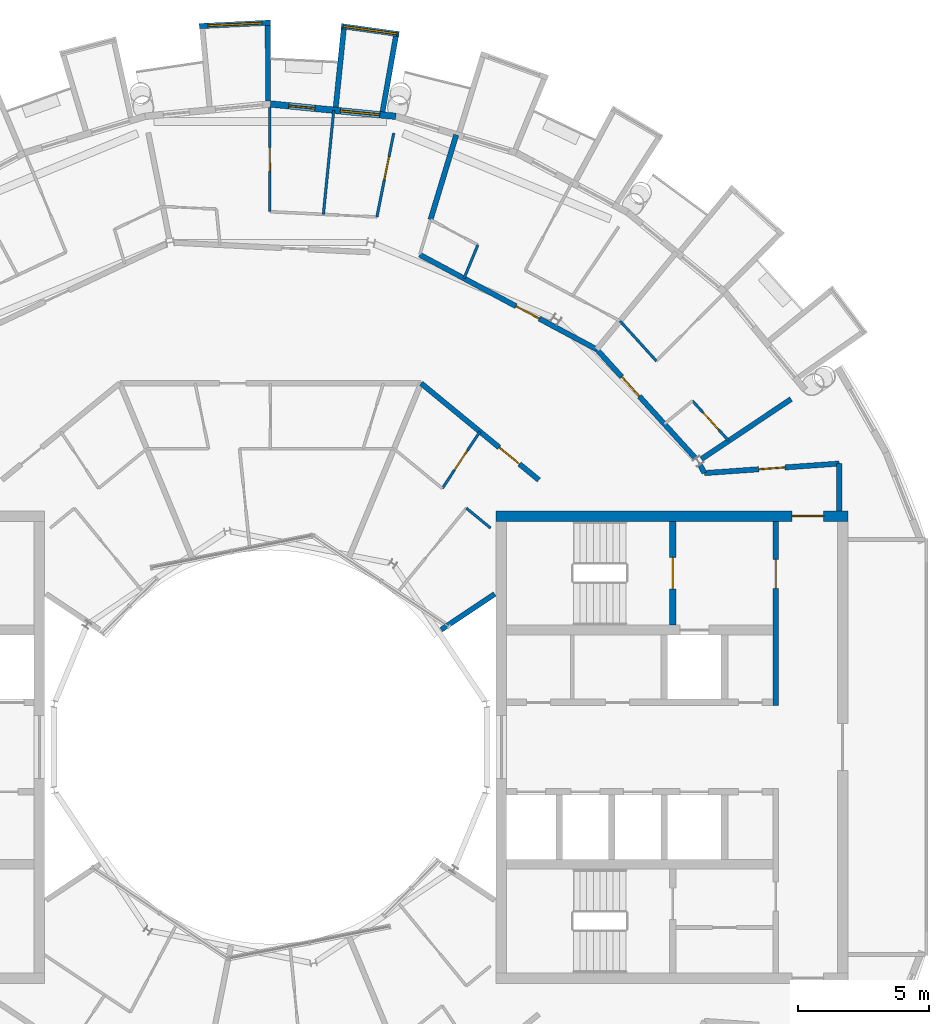
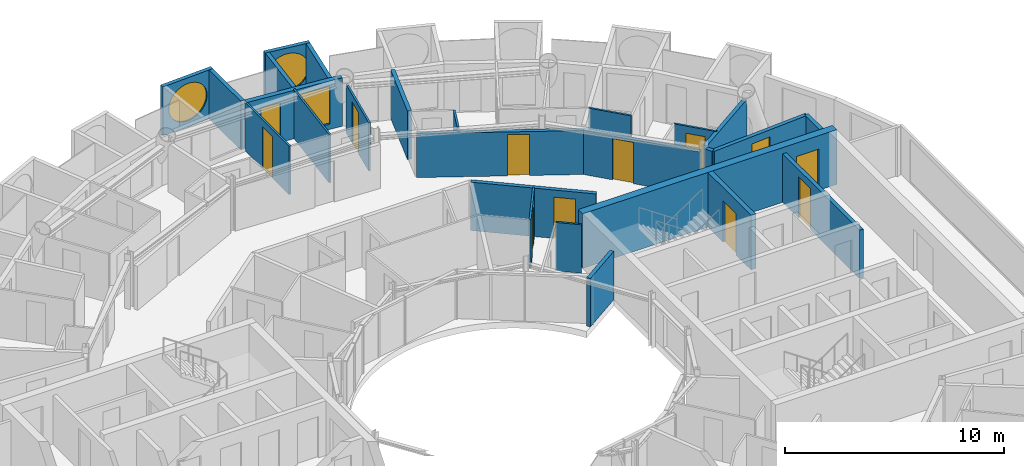
# One storey, part 22 of 27: 26 walls, 12 doors, 3 windows, 15 openings.
"""IFC4 building model written with IfcOpenShell, lengths in metres."""

from ifc_helpers import new_model, si_unit, direction, frame, frame_2d, origin, place, context, subcontext, project, spatial, rectangle, circle, extrude, material, layer, layer_set, type_object, element, fill, save


model = new_model("IFC4")

# Units and contexts
model_context = context("Model", 3, precision=1e-05, world=origin(), true_north=direction((0.0, 1.0)))
body_context = subcontext(model_context, "Body", "Model", "MODEL_VIEW")
ifc_project = project(units=[si_unit("LENGTHUNIT", "METRE"), si_unit("AREAUNIT", "SQUARE_METRE"), si_unit("VOLUMEUNIT", "CUBIC_METRE"), si_unit("PLANEANGLEUNIT", "RADIAN"), si_unit("MASSUNIT", "GRAM", prefix="KILO")], contexts=[model_context])

# Site, building, storey
site_placement = place(None, origin())
site = spatial("IfcSite", under=ifc_project, at=site_placement, CompositionType="ELEMENT")
building_placement = place(site_placement, origin())
building = spatial("IfcBuilding", under=site, at=building_placement, Name="Maasbend Ring Residences", CompositionType="ELEMENT")
storey_placement = place(building_placement, frame((0.0, 0.0, 243.199951171875)))
storey = spatial("IfcBuildingStorey", under=building, at=storey_placement, Name="L70", CompositionType="ELEMENT", Elevation=243.199951171875)

# Wall, opening, door
ifc_material_1 = material(Name="Concrete C50/60", Category="concrete")
ifc_layer_1 = layer(ifc_material_1, 0.25)
ifc_layer_set_1 = layer_set([ifc_layer_1], Name="Concrete C50/60")
wall_type_1 = type_object("IfcWallType", Name="CORE WALL 250 C50/60", PredefinedType="SHEAR", material=ifc_layer_set_1)
wall_1_placement = place(storey_placement, frame((15.324951171875, 4.64990234375, 0.0), z_axis=(0.0, 0.0, 1.0), x_axis=(0.0, 1.0, 0.0)))
wall_1 = element("IfcWall", 1, at=wall_1_placement, inside=storey, type_object=wall_type_1, Name="L70 core E wall STEN", PredefinedType="SHEAR", context=body_context, shape_type="SweptSolid", body=[
    extrude(rectangle(XDim=3.9501953125, YDim=0.25, at=frame_2d((1.97509765625, 0.0))), origin(), (0.0, 0.0, 1.0), 3.050048828125),
])
opening_1_placement = place(wall_1_placement, frame((1.375, 0.0, 0.0)))
opening_1 = element("IfcOpeningElement", 2, at=opening_1_placement, cuts=wall_1, Name="Opening D-E7011", PredefinedType="OPENING", context=body_context, shape_type="SweptSolid", body=[
    extrude(rectangle(XDim=1.199951171875, YDim=2.300048828125, at=frame_2d((0.60009765625, 1.14990234375))), frame((0.0, 0.135009765625, 0.0), z_axis=(0.0, -1.0, 0.0), x_axis=(1.0, 0.0, 0.0)), (0.0, 0.0, 1.0), 0.27001953125),
])
ifc_material_2 = material(Name="Steel, powder coated", Category="steel")
door_type_1 = type_object("IfcDoorType", Name="STAIR DOOR 1200 X 2300 FD60", OperationType="NOTDEFINED", PredefinedType="DOOR", material=ifc_material_2)
door_1_placement = place(opening_1_placement, origin())
door_1 = element("IfcDoor", 3, at=door_1_placement, inside=storey, type_object=door_type_1, Name="Stair door ST-E L70", OperationType="SINGLE_SWING_LEFT", OverallHeight=2.300048828125, OverallWidth=1.199951171875, PredefinedType="DOOR", context=body_context, shape_type="SweptSolid", body=[
    extrude(rectangle(XDim=1.199951171875, YDim=2.300048828125, at=frame_2d((0.60009765625, 1.14990234375))), frame((0.0, 0.02490234375, 0.0), z_axis=(0.0, -1.0, 0.0), x_axis=(1.0, 0.0, 0.0)), (0.0, 0.0, 1.0), 0.050048828125),
])
fill(opening_1, door_1)

ifc_material_3 = material(Name="Concrete C50/60", Category="concrete")
ifc_layer_2 = layer(ifc_material_3, 0.39990234375)
ifc_layer_set_2 = layer_set([ifc_layer_2], Name="Concrete C50/60")
wall_type_2 = type_object("IfcWallType", Name="CORE WALL 400 C50/60", PredefinedType="SHEAR", material=ifc_layer_set_2)
wall_2_placement = place(storey_placement, frame((22.0, 8.800048828125, 0.0), z_axis=(0.0, 0.0, 1.0), x_axis=(-1.0, 0.0, 0.0)))
wall_2 = element("IfcWall", 4, at=wall_2_placement, inside=storey, type_object=wall_type_2, Name="L70 core E wall PN", PredefinedType="SHEAR", context=body_context, shape_type="SweptSolid", body=[
    extrude(rectangle(XDim=13.39990234375, YDim=0.39990234375, at=frame_2d((6.699951171875, 0.0))), origin(), (0.0, 0.0, 1.0), 3.050048828125),
])
opening_2_placement = place(wall_2_placement, frame((0.925048828125, 0.0, 0.0)))
opening_2 = element("IfcOpeningElement", 5, at=opening_2_placement, cuts=wall_2, Name="Opening D-E7015", PredefinedType="OPENING", context=body_context, shape_type="SweptSolid", body=[
    extrude(rectangle(XDim=1.199951171875, YDim=2.300048828125, at=frame_2d((0.60009765625, 1.14990234375))), frame((0.0, 0.2099609375, 0.0), z_axis=(0.0, -1.0, 0.0), x_axis=(1.0, 0.0, 0.0)), (0.0, 0.0, 1.0), 0.419921875),
])
ifc_material_4 = material(Name="Steel, powder coated", Category="steel")
door_type_2 = type_object("IfcDoorType", Name="CORRIDOR DOOR 1200 X 2300 FD30S", OperationType="NOTDEFINED", PredefinedType="DOOR", material=ifc_material_4)
door_2_placement = place(opening_2_placement, origin())
door_2 = element("IfcDoor", 6, at=door_2_placement, inside=storey, type_object=door_type_2, Name="Corridor door L70", OperationType="SINGLE_SWING_RIGHT", OverallHeight=2.300048828125, OverallWidth=1.199951171875, PredefinedType="DOOR", context=body_context, shape_type="SweptSolid", body=[
    extrude(rectangle(XDim=1.199951171875, YDim=2.300048828125, at=frame_2d((0.60009765625, 1.14990234375))), frame((0.0, 0.02490234375, 0.0), z_axis=(0.0, -1.0, 0.0), x_axis=(1.0, 0.0, 0.0)), (0.0, 0.0, 1.0), 0.050048828125),
])
fill(opening_2, door_2)

# Wall
ifc_material_5 = material(Name="Concrete C30/37", Category="concrete")
ifc_layer_3 = layer(ifc_material_5, 0.199951171875)
ifc_layer_set_3 = layer_set([ifc_layer_3], Name="Concrete C30/37")
wall_type_3 = type_object("IfcWallType", Name="CORRIDOR WALL 200 CONCRETE", PredefinedType="PARTITIONING", material=ifc_layer_set_3)
wall_3_placement = place(storey_placement, frame((21.675048828125, 9.0, 0.0), z_axis=(0.0, 0.0, 1.0), x_axis=(0.0, 1.0, 0.0)))
element("IfcWall", 7, at=wall_3_placement, inside=storey, type_object=wall_type_3, Name="U-L70-w002", PredefinedType="PARTITIONING", context=body_context, shape_type="SweptSolid", body=[
    extrude(rectangle(XDim=1.800048828125, YDim=0.199951171875, at=frame_2d((0.89990234375, 0.0))), origin(), (0.0, 0.0, 1.0), 2.699951171875),
])

# Wall, opening, door
wall_4_placement = place(storey_placement, frame((16.534912109375, 10.43701171875, 0.0), z_axis=(0.0, 0.0, 1.0), x_axis=(0.997515141784, 0.070452408845, 0.0)))
wall_4 = element("IfcWall", 8, at=wall_4_placement, inside=storey, type_object=wall_type_3, Name="U-L70-w098", PredefinedType="PARTITIONING", context=body_context, shape_type="SweptSolid", body=[
    extrude(rectangle(XDim=5.15283203125, YDim=0.199951171875, at=frame_2d((2.576416015625, 0.0))), origin(), (0.0, 0.0, 1.0), 2.699951171875),
])
opening_3_placement = place(wall_4_placement, frame((2.075927734375, 0.0, 0.0)))
opening_3 = element("IfcOpeningElement", 9, at=opening_3_placement, cuts=wall_4, Name="Opening D-7066", PredefinedType="OPENING", context=body_context, shape_type="SweptSolid", body=[
    extrude(rectangle(XDim=1.0, YDim=2.300048828125, at=frame_2d((0.5, 1.14990234375))), frame((0.0, 0.10986328125, 0.0), z_axis=(0.0, -1.0, 0.0), x_axis=(1.0, 0.0, 0.0)), (0.0, 0.0, 1.0), 0.219970703125),
])
ifc_material_6 = material(Name="Timber, painted", Category="wood")
door_type_3 = type_object("IfcDoorType", Name="ROOM DOOR 1000 X 2300", OperationType="NOTDEFINED", PredefinedType="DOOR", material=ifc_material_6)
door_3_placement = place(opening_3_placement, origin())
door_3 = element("IfcDoor", 10, at=door_3_placement, inside=storey, type_object=door_type_3, Name="D-7066", OperationType="SINGLE_SWING_LEFT", OverallHeight=2.300048828125, OverallWidth=1.0, PredefinedType="DOOR", context=body_context, shape_type="SweptSolid", body=[
    extrude(rectangle(XDim=1.0, YDim=2.300048828125, at=frame_2d((0.5, 1.14990234375))), frame((0.0, 0.02490234375, 0.0), z_axis=(0.0, -1.0, 0.0), x_axis=(1.0, 0.0, 0.0)), (0.0, 0.0, 1.0), 0.050048828125),
])
fill(opening_3, door_3)

wall_5_placement = place(storey_placement, frame((5.741943359375, 13.85693359375, 0.0), z_axis=(0.0, 0.0, 1.0), x_axis=(0.772989261861, -0.634419105204, 0.0)))
wall_5 = element("IfcWall", 11, at=wall_5_placement, inside=storey, type_object=wall_type_3, Name="U-L70-w107", PredefinedType="PARTITIONING", context=body_context, shape_type="SweptSolid", body=[
    extrude(rectangle(XDim=5.803466796875, YDim=0.199951171875, at=frame_2d((2.90185546875, 0.0))), origin(), (0.0, 0.0, 1.0), 2.699951171875),
])
opening_4_placement = place(wall_5_placement, frame((3.85107421875, 0.0, 0.0)))
opening_4 = element("IfcOpeningElement", 12, at=opening_4_placement, cuts=wall_5, Name="Opening D-7021", PredefinedType="OPENING", context=body_context, shape_type="SweptSolid", body=[
    extrude(rectangle(XDim=1.0, YDim=2.300048828125, at=frame_2d((0.5, 1.14990234375))), frame((0.0, 0.10986328125, 0.0), z_axis=(0.0, -1.0, 0.0), x_axis=(1.0, 0.0, 0.0)), (0.0, 0.0, 1.0), 0.219970703125),
])
ifc_material_7 = material(Name="Timber, fire-rated, painted", Category="wood")
door_type_4 = type_object("IfcDoorType", Name="FLAT ENTRANCE DOOR 1000 X 2300 FIRE-RATED", OperationType="NOTDEFINED", PredefinedType="DOOR", material=ifc_material_7)
door_4_placement = place(opening_4_placement, origin())
door_4 = element("IfcDoor", 13, at=door_4_placement, inside=storey, type_object=door_type_4, Name="D-7021", OperationType="SINGLE_SWING_RIGHT", OverallHeight=2.300048828125, OverallWidth=1.0, PredefinedType="DOOR", context=body_context, shape_type="SweptSolid", body=[
    extrude(rectangle(XDim=1.0, YDim=2.300048828125, at=frame_2d((0.5, 1.14990234375))), frame((0.0, 0.02490234375, 0.0), z_axis=(0.0, -1.0, 0.0), x_axis=(1.0, 0.0, 0.0)), (0.0, 0.0, 1.0), 0.050048828125),
])
fill(opening_4, door_4)

wall_6_placement = place(storey_placement, frame((5.68994140625, 18.756103515625, 0.0), z_axis=(0.0, 0.0, 1.0), x_axis=(0.881899173092, -0.47143806433, 0.0)))
wall_6 = element("IfcWall", 14, at=wall_6_placement, inside=storey, type_object=wall_type_3, Name="U-L70-w110", PredefinedType="PARTITIONING", context=body_context, shape_type="SweptSolid", body=[
    extrude(rectangle(XDim=7.647216796875, YDim=0.199951171875, at=frame_2d((3.82373046875, 0.0))), origin(), (0.0, 0.0, 1.0), 2.449951171875),
])
opening_5_placement = place(wall_6_placement, frame((4.160888671875, 0.0, 0.0)))
opening_5 = element("IfcOpeningElement", 15, at=opening_5_placement, cuts=wall_6, Name="Opening D-7004", PredefinedType="OPENING", context=body_context, shape_type="SweptSolid", body=[
    extrude(rectangle(XDim=1.0, YDim=2.300048828125, at=frame_2d((0.5, 1.14990234375))), frame((0.0, 0.10986328125, 0.0), z_axis=(0.0, -1.0, 0.0), x_axis=(1.0, 0.0, 0.0)), (0.0, 0.0, 1.0), 0.219970703125),
])
door_5_placement = place(opening_5_placement, origin())
door_5 = element("IfcDoor", 16, at=door_5_placement, inside=storey, type_object=door_type_4, Name="D-7004", OperationType="SINGLE_SWING_RIGHT", OverallHeight=2.300048828125, OverallWidth=1.0, PredefinedType="DOOR", context=body_context, shape_type="SweptSolid", body=[
    extrude(rectangle(XDim=1.0, YDim=2.300048828125, at=frame_2d((0.5, 1.14990234375))), frame((0.0, 0.02490234375, 0.0), z_axis=(0.0, -1.0, 0.0), x_axis=(1.0, 0.0, 0.0)), (0.0, 0.0, 1.0), 0.050048828125),
])
fill(opening_5, door_5)

wall_7_placement = place(storey_placement, frame((12.43408203125, 15.15087890625, 0.0), z_axis=(0.0, 0.0, 1.0), x_axis=(0.671619657805, -0.740896102871, 0.0)))
wall_7 = element("IfcWall", 17, at=wall_7_placement, inside=storey, type_object=wall_type_3, Name="U-L70-w112", PredefinedType="PARTITIONING", context=body_context, shape_type="SweptSolid", body=[
    extrude(rectangle(XDim=5.599853515625, YDim=0.199951171875, at=frame_2d((2.7998046875, 0.0))), origin(), (0.0, 0.0, 1.0), 2.449951171875),
])
opening_6_placement = place(wall_7_placement, frame((1.4169921875, 0.0, 0.0)))
opening_6 = element("IfcOpeningElement", 18, at=opening_6_placement, cuts=wall_7, Name="Opening D-7001", PredefinedType="OPENING", context=body_context, shape_type="SweptSolid", body=[
    extrude(rectangle(XDim=1.0, YDim=2.300048828125, at=frame_2d((0.5, 1.14990234375))), frame((0.0, 0.10986328125, 0.0), z_axis=(0.0, -1.0, 0.0), x_axis=(1.0, 0.0, 0.0)), (0.0, 0.0, 1.0), 0.219970703125),
])
door_6_placement = place(opening_6_placement, origin())
door_6 = element("IfcDoor", 19, at=door_6_placement, inside=storey, type_object=door_type_4, Name="D-7001", OperationType="SINGLE_SWING_LEFT", OverallHeight=2.300048828125, OverallWidth=1.0, PredefinedType="DOOR", context=body_context, shape_type="SweptSolid", body=[
    extrude(rectangle(XDim=1.0, YDim=2.300048828125, at=frame_2d((0.5, 1.14990234375))), frame((0.0, 0.02490234375, 0.0), z_axis=(0.0, -1.0, 0.0), x_axis=(1.0, 0.0, 0.0)), (0.0, 0.0, 1.0), 0.050048828125),
])
fill(opening_6, door_6)

# Wall
wall_8_placement = place(storey_placement, frame((16.366943359375, 10.756103515625, 0.0), z_axis=(0.0, 0.0, 1.0), x_axis=(0.465802239822, -0.884888848035, 0.0)))
element("IfcWall", 20, at=wall_8_placement, inside=storey, type_object=wall_type_3, Name="U-L70-w114", PredefinedType="PARTITIONING", context=body_context, shape_type="SweptSolid", body=[
    extrude(rectangle(XDim=0.360595703125, YDim=0.199951171875, at=frame_2d((0.18017578125, 0.0))), origin(), (0.0, 0.0, 1.0), 2.699951171875),
])

# Wall, opening, window
ifc_material_8 = material(Name="Pale anodised aluminium panel", Category="aluminium")
ifc_layer_4 = layer(ifc_material_8, 0.199951171875)
ifc_layer_set_4 = layer_set([ifc_layer_4], Name="EW-BOX")
wall_type_4 = type_object("IfcWallType", Name="EW-BOX", PredefinedType="SOLIDWALL", material=ifc_layer_set_4)
wall_9_placement = place(storey_placement, frame((4.90087890625, 27.160888671875, -0.030029296875), z_axis=(0.0, 0.0, 1.0), x_axis=(-0.990395097224, 0.138266233748, 0.0)))
wall_9 = element("IfcWall", 21, at=wall_9_placement, inside=storey, type_object=wall_type_4, Name="Box front N09", PredefinedType="SOLIDWALL", context=body_context, shape_type="SweptSolid", body=[
    extrude(rectangle(XDim=2.22119140625, YDim=0.199951171875, at=frame_2d((1.110595703125, 0.0))), origin(), (0.0, 0.0, 1.0), 2.72998046875),
])
opening_7_placement = place(wall_9_placement, frame((0.070556640625, 0.0, 0.330078125)))
opening_7 = element("IfcOpeningElement", 22, at=opening_7_placement, cuts=wall_9, Name="Opening W-RD", PredefinedType="OPENING", context=body_context, shape_type="SweptSolid", body=[
    extrude(circle(Radius=1.0400390625, at=frame_2d((1.0400390625, 1.0400390625))), frame((0.0, 0.10986328125, 0.0), z_axis=(0.0, -1.0, 0.0), x_axis=(1.0, 0.0, 0.0)), (0.0, 0.0, 1.0), 0.219970703125),
])
ifc_material_9 = material(Name="Aluminium and clear glass", Category="aluminium")
window_type_1 = type_object("IfcWindowType", Name="W-RD", PartitioningType="SINGLE_PANEL", PredefinedType="WINDOW", material=ifc_material_9)
window_1_placement = place(opening_7_placement, origin())
window_1 = element("IfcWindow", 23, at=window_1_placement, inside=storey, type_object=window_type_1, Name="Round window N09", OverallHeight=2.080078125, OverallWidth=2.080078125, PartitioningType="SINGLE_PANEL", PredefinedType="WINDOW", context=body_context, shape_type="SweptSolid", body=[
    extrude(circle(Radius=1.0400390625, at=frame_2d((1.0400390625, 1.0400390625))), frame((0.0, 0.030029296875, 0.0), z_axis=(0.0, -1.0, 0.0), x_axis=(1.0, 0.0, 0.0)), (0.0, 0.0, 1.0), 0.06005859375),
])
fill(opening_7, window_1)

# Walls
wall_10_placement = place(storey_placement, frame((4.27392578125, 24.205078125, -0.030029296875), z_axis=(0.0, 0.0, 1.0), x_axis=(0.173637488752, 0.984809637697, 0.0)))
element("IfcWall", 24, at=wall_10_placement, inside=storey, type_object=wall_type_4, Name="Box side wall N09 left", PredefinedType="SOLIDWALL", context=body_context, shape_type="SweptSolid", body=[
    extrude(rectangle(XDim=2.92041015625, YDim=0.199951171875, at=frame_2d((1.460205078125, 0.0))), origin(), (0.0, 0.0, 1.0), 2.72998046875),
])
wall_11_placement = place(storey_placement, frame((2.489990234375, 24.3798828125, -0.030029296875), z_axis=(0.0, 0.0, 1.0), x_axis=(0.101894312119, 0.994795229762, 0.0)))
element("IfcWall", 25, at=wall_11_placement, inside=storey, type_object=wall_type_4, Name="Box side wall N09 right", PredefinedType="SOLIDWALL", context=body_context, shape_type="SweptSolid", body=[
    extrude(rectangle(XDim=2.99267578125, YDim=0.199951171875, at=frame_2d((1.496337890625, 0.0))), origin(), (0.0, 0.0, 1.0), 2.72998046875),
])

# Wall, opening, window
wall_12_placement = place(storey_placement, frame((0.0048828125, 27.60009765625, -0.030029296875), z_axis=(0.0, 0.0, 1.0), x_axis=(-0.998801130548, -0.048952033826, 0.0)))
wall_12 = element("IfcWall", 26, at=wall_12_placement, inside=storey, type_object=wall_type_4, Name="Box front N11", PredefinedType="SOLIDWALL", context=body_context, shape_type="SweptSolid", body=[
    extrude(rectangle(XDim=2.718017578125, YDim=0.199951171875, at=frame_2d((1.35888671875, 0.0))), origin(), (0.0, 0.0, 1.0), 2.72998046875),
])
opening_8_placement = place(wall_12_placement, frame((0.319091796875, 0.0, 0.330078125)))
opening_8 = element("IfcOpeningElement", 27, at=opening_8_placement, cuts=wall_12, Name="Opening W-RD", PredefinedType="OPENING", context=body_context, shape_type="SweptSolid", body=[
    extrude(circle(Radius=1.0400390625, at=frame_2d((1.0400390625, 1.0400390625))), frame((0.0, 0.10986328125, 0.0), z_axis=(0.0, -1.0, 0.0), x_axis=(1.0, 0.0, 0.0)), (0.0, 0.0, 1.0), 0.219970703125),
])
window_2_placement = place(opening_8_placement, origin())
window_2 = element("IfcWindow", 28, at=window_2_placement, inside=storey, type_object=window_type_1, Name="Round window N11", OverallHeight=2.080078125, OverallWidth=2.080078125, PartitioningType="SINGLE_PANEL", PredefinedType="WINDOW", context=body_context, shape_type="SweptSolid", body=[
    extrude(circle(Radius=1.0400390625, at=frame_2d((1.0400390625, 1.0400390625))), frame((0.0, 0.030029296875, 0.0), z_axis=(0.0, -1.0, 0.0), x_axis=(1.0, 0.0, 0.0)), (0.0, 0.0, 1.0), 0.06005859375),
])
fill(opening_8, window_2)

# Wall
wall_13_placement = place(storey_placement, frame((-0.089111328125, 24.616943359375, -0.030029296875), z_axis=(0.0, 0.0, 1.0), x_axis=(-0.003811916396, 0.99999273462, 0.0)))
element("IfcWall", 29, at=wall_13_placement, inside=storey, type_object=wall_type_4, Name="Box side wall N11 left", PredefinedType="SOLIDWALL", context=body_context, shape_type="SweptSolid", body=[
    extrude(rectangle(XDim=2.882080078125, YDim=0.199951171875, at=frame_2d((1.44091796875, 0.0))), origin(), (0.0, 0.0, 1.0), 2.72998046875),
])

# Wall, openings, door, window
ifc_material_10 = material(Name="Aluminium clad insulated panel", Category="aluminium")
ifc_layer_5 = layer(ifc_material_10, 0.25)
ifc_layer_set_5 = layer_set([ifc_layer_5], Name="EW-GL")
wall_type_5 = type_object("IfcWallType", Name="EW-GL", PredefinedType="SOLIDWALL", material=ifc_layer_set_5)
wall_14_placement = place(storey_placement, frame((4.780029296875, 24.029052734375, 0.0), z_axis=(0.0, 0.0, 1.0), x_axis=(-0.995181568754, 0.098049197923, 0.0)))
wall_14 = element("IfcWall", 30, at=wall_14_placement, inside=storey, type_object=wall_type_5, Name="External wall N05", PredefinedType="SOLIDWALL", context=body_context, shape_type="SweptSolid", body=[
    extrude(rectangle(XDim=4.80322265625, YDim=0.25, at=frame_2d((2.401611328125, 0.0))), origin(), (0.0, 0.0, 1.0), 2.699951171875),
])
opening_9_placement = place(wall_14_placement, frame((0.6201171875, 0.0, 0.300048828125)))
opening_9 = element("IfcOpeningElement", 31, at=opening_9_placement, cuts=wall_14, Name="Opening W-BN", PredefinedType="OPENING", context=body_context, shape_type="SweptSolid", body=[
    extrude(rectangle(XDim=1.5, YDim=2.10009765625, at=frame_2d((0.75, 1.050048828125))), frame((0.0, 0.135009765625, 0.0), z_axis=(0.0, -1.0, 0.0), x_axis=(1.0, 0.0, 0.0)), (0.0, 0.0, 1.0), 0.27001953125),
])
opening_10_placement = place(wall_14_placement, frame((3.09912109375, 0.0, 0.0)))
opening_10 = element("IfcOpeningElement", 32, at=opening_10_placement, cuts=wall_14, Name="Opening D-LG", PredefinedType="OPENING", context=body_context, shape_type="SweptSolid", body=[
    extrude(rectangle(XDim=1.0, YDim=2.199951171875, at=frame_2d((0.5, 1.10009765625))), frame((0.0, 0.135009765625, 0.0), z_axis=(0.0, -1.0, 0.0), x_axis=(1.0, 0.0, 0.0)), (0.0, 0.0, 1.0), 0.27001953125),
])
ifc_material_11 = material(Name="Aluminium and clear glass", Category="aluminium")
door_type_5 = type_object("IfcDoorType", Name="D-LG", OperationType="SINGLE_SWING_LEFT", PredefinedType="DOOR", material=ifc_material_11)
door_7_placement = place(opening_10_placement, origin())
door_7 = element("IfcDoor", 33, at=door_7_placement, inside=storey, type_object=door_type_5, Name="Loggia door N10", OperationType="SINGLE_SWING_LEFT", OverallHeight=2.199951171875, OverallWidth=1.0, PredefinedType="DOOR", context=body_context, shape_type="SweptSolid", body=[
    extrude(rectangle(XDim=1.0, YDim=2.199951171875, at=frame_2d((0.5, 1.10009765625))), frame((0.0, 0.02490234375, 0.0), z_axis=(0.0, -1.0, 0.0), x_axis=(1.0, 0.0, 0.0)), (0.0, 0.0, 1.0), 0.050048828125),
])
fill(opening_10, door_7)
ifc_material_12 = material(Name="Aluminium and clear glass", Category="aluminium")
window_type_2 = type_object("IfcWindowType", Name="W-BN", PartitioningType="SINGLE_PANEL", PredefinedType="WINDOW", material=ifc_material_12)
window_3_placement = place(opening_9_placement, origin())
window_3 = element("IfcWindow", 34, at=window_3_placement, inside=storey, type_object=window_type_2, Name="Window N09 room to box", OverallHeight=2.10009765625, OverallWidth=1.5, PartitioningType="SINGLE_PANEL", PredefinedType="WINDOW", context=body_context, shape_type="SweptSolid", body=[
    extrude(rectangle(XDim=1.5, YDim=2.10009765625, at=frame_2d((0.75, 1.050048828125))), frame((0.0, 0.030029296875, 0.0), z_axis=(0.0, -1.0, 0.0), x_axis=(1.0, 0.0, 0.0)), (0.0, 0.0, 1.0), 0.06005859375),
])
fill(opening_9, window_3)

# Wall, opening, door
ifc_material_13 = material(Name="Gypsum board on steel studs", Category="steel")
ifc_layer_6 = layer(ifc_material_13, 0.10009765625)
ifc_layer_set_6 = layer_set([ifc_layer_6], Name="PARTITION 100 GYPSUM")
wall_type_6 = type_object("IfcWallType", Name="PARTITION 100 GYPSUM", PredefinedType="PARTITIONING", material=ifc_layer_set_6)
wall_15_placement = place(storey_placement, frame((-0.02001953125, 20.39599609375, 0.0), z_axis=(0.0, 0.0, 1.0), x_axis=(-0.000981715075, 0.999999518118, 0.0)))
wall_15 = element("IfcWall", 35, at=wall_15_placement, inside=storey, type_object=wall_type_6, Name="U-L70-w062", PredefinedType="PARTITIONING", context=body_context, shape_type="SweptSolid", body=[
    extrude(rectangle(XDim=3.97900390625, YDim=0.10009765625, at=frame_2d((1.989501953125, 0.0))), origin(), (0.0, 0.0, 1.0), 2.699951171875),
])
opening_11_placement = place(wall_15_placement, frame((1.5400390625, 0.0, 0.0)))
opening_11 = element("IfcOpeningElement", 36, at=opening_11_placement, cuts=wall_15, Name="Opening D-7010", PredefinedType="OPENING", context=body_context, shape_type="SweptSolid", body=[
    extrude(rectangle(XDim=0.89990234375, YDim=2.300048828125, at=frame_2d((0.449951171875, 1.14990234375))), frame((0.0, 0.06005859375, 0.0), z_axis=(0.0, -1.0, 0.0), x_axis=(1.0, 0.0, 0.0)), (0.0, 0.0, 1.0), 0.1201171875),
])
ifc_material_14 = material(Name="Timber, painted", Category="wood")
door_type_6 = type_object("IfcDoorType", Name="INTERNAL DOOR 900 X 2300", OperationType="NOTDEFINED", PredefinedType="DOOR", material=ifc_material_14)
door_8_placement = place(opening_11_placement, origin())
door_8 = element("IfcDoor", 37, at=door_8_placement, inside=storey, type_object=door_type_6, Name="D-7010", OperationType="SINGLE_SWING_RIGHT", OverallHeight=2.300048828125, OverallWidth=0.89990234375, PredefinedType="DOOR", context=body_context, shape_type="SweptSolid", body=[
    extrude(rectangle(XDim=0.89990234375, YDim=2.300048828125, at=frame_2d((0.449951171875, 1.14990234375))), frame((0.0, 0.02490234375, 0.0), z_axis=(0.0, -1.0, 0.0), x_axis=(1.0, 0.0, 0.0)), (0.0, 0.0, 1.0), 0.050048828125),
])
fill(opening_11, door_8)

# Wall
wall_16_placement = place(storey_placement, frame((2.01904296875, 20.2958984375, 0.0), z_axis=(0.0, 0.0, 1.0), x_axis=(0.099041957246, 0.995083258177, 0.0)))
element("IfcWall", 38, at=wall_16_placement, inside=storey, type_object=wall_type_6, Name="U-L70-w066", PredefinedType="PARTITIONING", context=body_context, shape_type="SweptSolid", body=[
    extrude(rectangle(XDim=3.978515625, YDim=0.10009765625, at=frame_2d((1.9892578125, 0.0))), origin(), (0.0, 0.0, 1.0), 2.699951171875),
])

# Wall, opening, door
wall_17_placement = place(storey_placement, frame((4.056884765625, 20.196044921875, 0.0), z_axis=(0.0, 0.0, 1.0), x_axis=(0.196965796954, 0.980410360426, 0.0)))
wall_17 = element("IfcWall", 39, at=wall_17_placement, inside=storey, type_object=wall_type_6, Name="U-L70-w072", PredefinedType="PARTITIONING", context=body_context, shape_type="SweptSolid", body=[
    extrude(rectangle(XDim=3.260009765625, YDim=0.10009765625, at=frame_2d((1.6298828125, 0.0))), origin(), (0.0, 0.0, 1.0), 2.699951171875),
])
opening_12_placement = place(wall_17_placement, frame((1.43798828125, 0.0, 0.0)))
opening_12 = element("IfcOpeningElement", 40, at=opening_12_placement, cuts=wall_17, Name="Opening D-7012", PredefinedType="OPENING", context=body_context, shape_type="SweptSolid", body=[
    extrude(rectangle(XDim=0.89990234375, YDim=2.300048828125, at=frame_2d((0.449951171875, 1.14990234375))), frame((0.0, 0.06005859375, 0.0), z_axis=(0.0, -1.0, 0.0), x_axis=(1.0, 0.0, 0.0)), (0.0, 0.0, 1.0), 0.1201171875),
])
door_9_placement = place(opening_12_placement, origin())
door_9 = element("IfcDoor", 41, at=door_9_placement, inside=storey, type_object=door_type_6, Name="D-7012", OperationType="SINGLE_SWING_RIGHT", OverallHeight=2.300048828125, OverallWidth=0.89990234375, PredefinedType="DOOR", context=body_context, shape_type="SweptSolid", body=[
    extrude(rectangle(XDim=0.89990234375, YDim=2.300048828125, at=frame_2d((0.449951171875, 1.14990234375))), frame((0.0, 0.02490234375, 0.0), z_axis=(0.0, -1.0, 0.0), x_axis=(1.0, 0.0, 0.0)), (0.0, 0.0, 1.0), 0.050048828125),
])
fill(opening_12, door_9)

wall_18_placement = place(storey_placement, frame((6.547119140625, 9.85400390625, 0.0), z_axis=(0.0, 0.0, 1.0), x_axis=(0.553289146762, 0.832989267683, 0.0)))
wall_18 = element("IfcWall", 42, at=wall_18_placement, inside=storey, type_object=wall_type_6, Name="U-L70-w078", PredefinedType="PARTITIONING", context=body_context, shape_type="SweptSolid", body=[
    extrude(rectangle(XDim=2.5966796875, YDim=0.10009765625, at=frame_2d((1.29833984375, 0.0))), origin(), (0.0, 0.0, 1.0), 2.699951171875),
])
opening_13_placement = place(wall_18_placement, frame((0.847900390625, 0.0, 0.0)))
opening_13 = element("IfcOpeningElement", 43, at=opening_13_placement, cuts=wall_18, Name="Opening D-7022", PredefinedType="OPENING", context=body_context, shape_type="SweptSolid", body=[
    extrude(rectangle(XDim=0.89990234375, YDim=2.300048828125, at=frame_2d((0.449951171875, 1.14990234375))), frame((0.0, 0.06005859375, 0.0), z_axis=(0.0, -1.0, 0.0), x_axis=(1.0, 0.0, 0.0)), (0.0, 0.0, 1.0), 0.1201171875),
])
door_10_placement = place(opening_13_placement, origin())
door_10 = element("IfcDoor", 44, at=door_10_placement, inside=storey, type_object=door_type_6, Name="D-7022", OperationType="SINGLE_SWING_RIGHT", OverallHeight=2.300048828125, OverallWidth=0.89990234375, PredefinedType="DOOR", context=body_context, shape_type="SweptSolid", body=[
    extrude(rectangle(XDim=0.89990234375, YDim=2.300048828125, at=frame_2d((0.449951171875, 1.14990234375))), frame((0.0, 0.02490234375, 0.0), z_axis=(0.0, -1.0, 0.0), x_axis=(1.0, 0.0, 0.0)), (0.0, 0.0, 1.0), 0.050048828125),
])
fill(opening_13, door_10)

# Walls
wall_19_placement = place(storey_placement, frame((7.3759765625, 17.85498046875, 0.0), z_axis=(0.0, 0.0, 1.0), x_axis=(0.382075632463, 0.924131057306, 0.0)))
element("IfcWall", 45, at=wall_19_placement, inside=storey, type_object=wall_type_6, Name="U-L70-w079", PredefinedType="PARTITIONING", context=body_context, shape_type="SweptSolid", body=[
    extrude(rectangle(XDim=1.379638671875, YDim=0.10009765625, at=frame_2d((0.68994140625, 0.0))), origin(), (0.0, 0.0, 1.0), 2.699951171875),
])
wall_20_placement = place(storey_placement, frame((7.466064453125, 9.10009765625, 0.0), z_axis=(0.0, 0.0, 1.0), x_axis=(0.772869802794, -0.634564628646, 0.0)))
element("IfcWall", 46, at=wall_20_placement, inside=storey, type_object=wall_type_6, Name="U-L70-w104", PredefinedType="PARTITIONING", context=body_context, shape_type="SweptSolid", body=[
    extrude(rectangle(XDim=1.191650390625, YDim=0.10009765625, at=frame_2d((0.595703125, 0.0))), origin(), (0.0, 0.0, 1.0), 2.699951171875),
])
wall_21_placement = place(storey_placement, frame((13.321044921875, 16.23291015625, 0.0), z_axis=(0.0, 0.0, 1.0), x_axis=(0.671678456097, -0.74084279818, 0.0)))
element("IfcWall", 47, at=wall_21_placement, inside=storey, type_object=wall_type_6, Name="U-L70-w123", PredefinedType="PARTITIONING", context=body_context, shape_type="SweptSolid", body=[
    extrude(rectangle(XDim=2.054443359375, YDim=0.10009765625, at=frame_2d((1.02734375, 0.0))), origin(), (0.0, 0.0, 1.0), 2.699951171875),
])

# Wall, opening, door
wall_22_placement = place(storey_placement, frame((16.0810546875, 13.18896484375, 0.0), z_axis=(0.0, 0.0, 1.0), x_axis=(0.671678456097, -0.74084279818, 0.0)))
wall_22 = element("IfcWall", 48, at=wall_22_placement, inside=storey, type_object=wall_type_6, Name="U-L70-w124", PredefinedType="PARTITIONING", context=body_context, shape_type="SweptSolid", body=[
    extrude(rectangle(XDim=2.054443359375, YDim=0.10009765625, at=frame_2d((1.02734375, 0.0))), origin(), (0.0, 0.0, 1.0), 2.699951171875),
])
opening_14_placement = place(wall_22_placement, frame((0.576904296875, 0.0, 0.0)))
opening_14 = element("IfcOpeningElement", 49, at=opening_14_placement, cuts=wall_22, Name="Opening D-7002", PredefinedType="OPENING", context=body_context, shape_type="SweptSolid", body=[
    extrude(rectangle(XDim=0.89990234375, YDim=2.300048828125, at=frame_2d((0.449951171875, 1.14990234375))), frame((0.0, 0.06005859375, 0.0), z_axis=(0.0, -1.0, 0.0), x_axis=(1.0, 0.0, 0.0)), (0.0, 0.0, 1.0), 0.1201171875),
])
door_11_placement = place(opening_14_placement, origin())
door_11 = element("IfcDoor", 50, at=door_11_placement, inside=storey, type_object=door_type_6, Name="D-7002", OperationType="SINGLE_SWING_RIGHT", OverallHeight=2.300048828125, OverallWidth=0.89990234375, PredefinedType="DOOR", context=body_context, shape_type="SweptSolid", body=[
    extrude(rectangle(XDim=0.89990234375, YDim=2.300048828125, at=frame_2d((0.449951171875, 1.14990234375))), frame((0.0, 0.02490234375, 0.0), z_axis=(0.0, -1.0, 0.0), x_axis=(1.0, 0.0, 0.0)), (0.0, 0.0, 1.0), 0.050048828125),
])
fill(opening_14, door_11)

# Walls
ifc_material_15 = material(Name="Concrete C30/37", Category="concrete")
ifc_layer_7 = layer(ifc_material_15, 0.199951171875)
ifc_layer_set_7 = layer_set([ifc_layer_7], Name="Concrete C30/37")
wall_type_7 = type_object("IfcWallType", Name="PARTY WALL 200 CONCRETE", PredefinedType="PARTITIONING", material=ifc_layer_set_7)
wall_23_placement = place(storey_placement, frame((6.10009765625, 20.094970703125, 0.0), z_axis=(0.0, 0.0, 1.0), x_axis=(0.290412991819, 0.95690140254, 0.0)))
element("IfcWall", 51, at=wall_23_placement, inside=storey, type_object=wall_type_7, Name="U-L70-w076", PredefinedType="PARTITIONING", context=body_context, shape_type="SweptSolid", body=[
    extrude(rectangle(XDim=3.37451171875, YDim=0.199951171875, at=frame_2d((1.687255859375, 0.0))), origin(), (0.0, 0.0, 1.0), 2.699951171875),
])
wall_24_placement = place(storey_placement, frame((16.422119140625, 10.971923828125, 0.0), z_axis=(0.0, 0.0, 1.0), x_axis=(0.831263363926, 0.555878781566, 0.0)))
element("IfcWall", 52, at=wall_24_placement, inside=storey, type_object=wall_type_7, Name="U-L70-w092", PredefinedType="PARTITIONING", context=body_context, shape_type="SweptSolid", body=[
    extrude(rectangle(XDim=4.109130859375, YDim=0.199951171875, at=frame_2d((2.0546875, 0.0))), origin(), (0.0, 0.0, 1.0), 2.699951171875),
])
wall_25_placement = place(storey_placement, frame((6.512939453125, 4.471923828125, 0.0), z_axis=(0.0, 0.0, 1.0), x_axis=(0.831450132577, 0.555599385382, 0.0)))
element("IfcWall", 53, at=wall_25_placement, inside=storey, type_object=wall_type_7, Name="U-L70-w096", PredefinedType="PARTITIONING", context=body_context, shape_type="SweptSolid", body=[
    extrude(rectangle(XDim=2.442626953125, YDim=0.199951171875, at=frame_2d((1.22119140625, 0.0))), origin(), (0.0, 0.0, 1.0), 2.699951171875),
])

# Wall, opening, door
ifc_material_16 = material(Name="Concrete C30/37", Category="concrete")
ifc_layer_8 = layer(ifc_material_16, 0.199951171875)
ifc_layer_set_8 = layer_set([ifc_layer_8], Name="Concrete C30/37")
wall_type_8 = type_object("IfcWallType", Name="SHAFT WALL 200 EI 120", PredefinedType="SOLIDWALL", material=ifc_layer_set_8)
wall_26_placement = place(storey_placement, frame((19.25, 1.574951171875, 0.0), z_axis=(0.0, 0.0, 1.0), x_axis=(0.0, 1.0, 0.0)))
wall_26 = element("IfcWall", 54, at=wall_26_placement, inside=storey, type_object=wall_type_8, Name="L70 core E wall ENDN", PredefinedType="SOLIDWALL", context=body_context, shape_type="SweptSolid", body=[
    extrude(rectangle(XDim=7.025146484375, YDim=0.199951171875, at=frame_2d((3.5126953125, 0.0))), origin(), (0.0, 0.0, 1.0), 2.699951171875),
])
opening_15_placement = place(wall_26_placement, frame((4.47509765625, 0.0, 0.0)))
opening_15 = element("IfcOpeningElement", 55, at=opening_15_placement, cuts=wall_26, Name="Opening D-E7013", PredefinedType="OPENING", context=body_context, shape_type="SweptSolid", body=[
    extrude(rectangle(XDim=1.10009765625, YDim=2.300048828125, at=frame_2d((0.550048828125, 1.14990234375))), frame((0.0, 0.10986328125, 0.0), z_axis=(0.0, -1.0, 0.0), x_axis=(1.0, 0.0, 0.0)), (0.0, 0.0, 1.0), 0.219970703125),
])
ifc_material_17 = material(Name="Steel, powder coated", Category="steel")
door_type_7 = type_object("IfcDoorType", Name="LOBBY DOOR 1100 X 2300 FD60", OperationType="NOTDEFINED", PredefinedType="DOOR", material=ifc_material_17)
door_12_placement = place(opening_15_placement, origin())
door_12 = element("IfcDoor", 56, at=door_12_placement, inside=storey, type_object=door_type_7, Name="Lobby door L70", OperationType="SINGLE_SWING_LEFT", OverallHeight=2.300048828125, OverallWidth=1.10009765625, PredefinedType="DOOR", context=body_context, shape_type="SweptSolid", body=[
    extrude(rectangle(XDim=1.10009765625, YDim=2.300048828125, at=frame_2d((0.550048828125, 1.14990234375))), frame((0.0, 0.02490234375, 0.0), z_axis=(0.0, -1.0, 0.0), x_axis=(1.0, 0.0, 0.0)), (0.0, 0.0, 1.0), 0.050048828125),
])
fill(opening_15, door_12)

save(model, "model.ifc")
